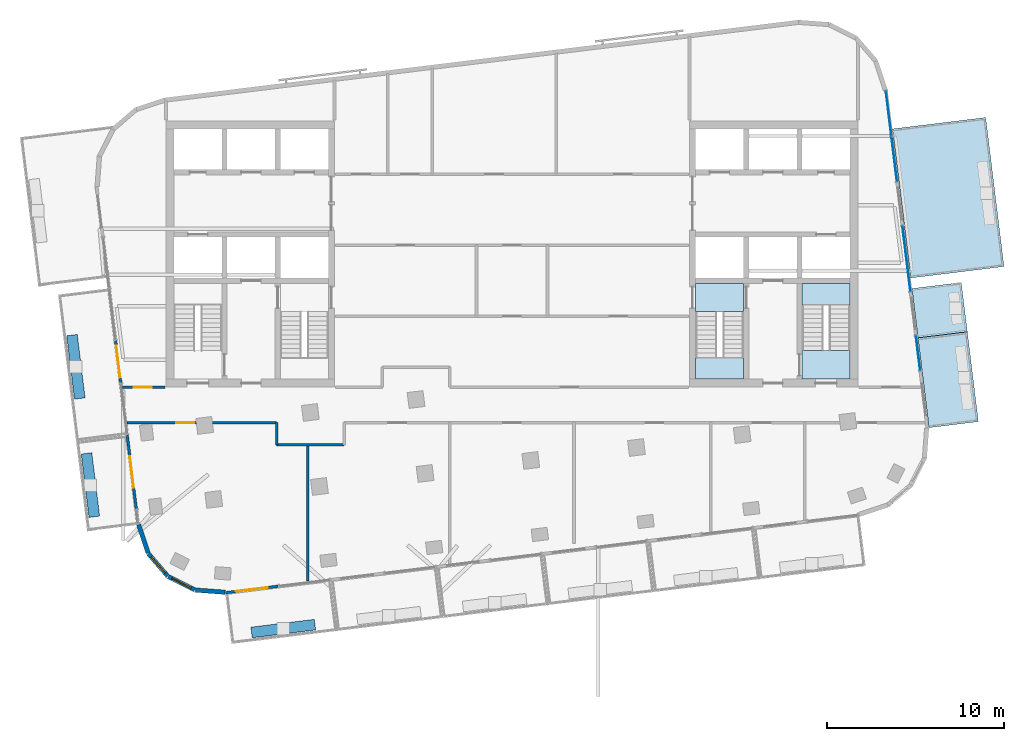
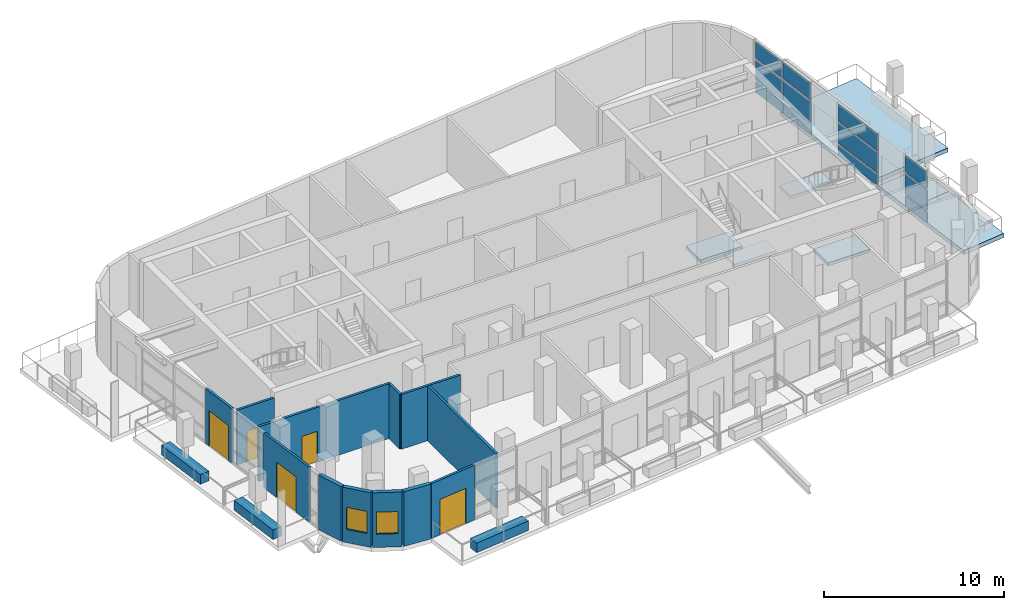
# One storey, part 5 of 13: 15 walls, 12 plates, 7 slabs, 5 doors, 2 windows, 7 openings, 5 elements without a shape of their own.
"""IFC4 building model written with IfcOpenShell, lengths in metres."""

from ifc_helpers import new_model, si_unit, direction, frame, frame_2d, origin, origin_2d, place, context, subcontext, project, spatial, polyline, rectangle, outline, extrude, material, layer, layer_set, type_object, element, fill, aggregate, save


model = new_model("IFC4")

# Units and contexts
model_context = context("Model", 3, precision=1e-05, world=origin(), true_north=direction((0.0, 1.0)))
body_context = subcontext(model_context, "Body", "Model", "MODEL_VIEW")
ifc_project = project(units=[si_unit("LENGTHUNIT", "METRE"), si_unit("AREAUNIT", "SQUARE_METRE"), si_unit("VOLUMEUNIT", "CUBIC_METRE"), si_unit("PLANEANGLEUNIT", "RADIAN"), si_unit("MASSUNIT", "GRAM", prefix="KILO")], contexts=[model_context])

# Site, building, storey
site_placement = place(None, origin())
site = spatial("IfcSite", under=ifc_project, at=site_placement, CompositionType="ELEMENT")
building_placement = place(site_placement, origin())
building = spatial("IfcBuilding", under=site, at=building_placement, Name="Torana Hotel and Residences", CompositionType="ELEMENT")
storey_placement = place(building_placement, frame((0.0, 0.0, 314.60009765625)))
storey = spatial("IfcBuildingStorey", under=building, at=storey_placement, Name="L83", CompositionType="ELEMENT", Elevation=314.60009765625)

# Slabs
ifc_material_1 = material(Name="Concrete C40/50", Category="concrete")
ifc_layer_1 = layer(ifc_material_1, 0.280029296875)
ifc_layer_set_1 = layer_set([ifc_layer_1], Name="BAL1 BALCONY SLAB 280")
slab_type_1 = type_object("IfcSlabType", Name="BAL1 BALCONY SLAB 280", PredefinedType="USERDEFINED", material=ifc_layer_set_1)
slab_1_placement = place(storey_placement, frame((0.0, 0.0, -0.280029296875)))
element("IfcSlab", 1, at=slab_1_placement, inside=storey, type_object=slab_type_1, Name="Balcony 10", ObjectType="BALCONY", PredefinedType="USERDEFINED", context=body_context, shape_type="SweptSolid", body=[
    extrude(outline(polyline([(23.502197265625, -17.286376953125), (26.281494140625, -16.945068359375), (25.659912109375, -11.88330078125), (22.880615234375, -12.224365234375), (23.502197265625, -17.286376953125)])), origin(), (0.0, 0.0, 1.0), 0.280029296875),
])
slab_2_placement = place(storey_placement, frame((0.0, 0.0, -0.280029296875)))
element("IfcSlab", 2, at=slab_2_placement, inside=storey, type_object=slab_type_1, Name="Balcony 11", ObjectType="BALCONY", PredefinedType="USERDEFINED", context=body_context, shape_type="SweptSolid", body=[
    extrude(outline(polyline([(22.880615234375, -12.224365234375), (25.659912109375, -11.88330078125), (25.318603515625, -9.104248046875), (22.53955078125, -9.445556640625), (22.880615234375, -12.224365234375)])), origin(), (0.0, 0.0, 1.0), 0.280029296875),
])
slab_3_placement = place(storey_placement, frame((0.0, 0.0, -0.280029296875)))
element("IfcSlab", 3, at=slab_3_placement, inside=storey, type_object=slab_type_1, Name="Balcony 12", ObjectType="BALCONY", PredefinedType="USERDEFINED", context=body_context, shape_type="SweptSolid", body=[
    extrude(outline(polyline([(22.46630859375, -8.85009765625), (27.726806640625, -8.2041015625), (26.695556640625, 0.19580078125), (21.43505859375, -0.449951171875), (22.46630859375, -8.85009765625)])), origin(), (0.0, 0.0, 1.0), 0.280029296875),
])

# Curtain wall, plates
ifc_material_2 = material(Name="Dark anodised aluminium", Category="aluminium")
ifc_layer_2 = layer(ifc_material_2, 0.199951171875)
ifc_layer_set_2 = layer_set([ifc_layer_2], Name="CW3 SKY CLUB UNITISED CURTAIN WALL")
curtain_wall_type = type_object("IfcCurtainWallType", Name="CW3 SKY CLUB UNITISED CURTAIN WALL", PredefinedType="NOTDEFINED", material=ifc_layer_set_2)
curtain_wall_1_placement = place(storey_placement, origin())
curtain_wall_1 = element("IfcCurtainWall", 4, at=curtain_wall_1_placement, inside=storey, type_object=curtain_wall_type, Name="Curtain wall CW3 L83 e0.19-2", PredefinedType="NOTDEFINED")
ifc_material_3 = material(Name="Glass dark tinted double glazed unit", Category="glass")
ifc_layer_3 = layer(ifc_material_3, 0.031982421875)
ifc_layer_set_3 = layer_set([ifc_layer_3], Name="CW3 DARK GLASS PANEL 32")
plate_type = type_object("IfcPlateType", Name="CW3 DARK GLASS PANEL 32", PredefinedType="CURTAIN_PANEL", material=ifc_layer_set_3)
plate_1_placement = place(storey_placement, frame((22.885009765625, -13.080322265625, 0.1201171875), z_axis=(0.0, 0.0, 1.0), x_axis=(-0.121912701141, 0.992540827019, 0.0)))
plate_1 = element("IfcPlate", 5, at=plate_1_placement, type_object=plate_type, Name="CW3 panel 1.1", PredefinedType="CURTAIN_PANEL", context=body_context, shape_type="SweptSolid", body=[
    extrude(rectangle(XDim=1.9599609375, YDim=0.031982421875, at=origin_2d()), origin(), (0.0, 0.0, 1.0), 0.719970703125),
])
plate_2_placement = place(storey_placement, frame((22.885009765625, -13.080322265625, 0.9599609375), z_axis=(0.0, 0.0, 1.0), x_axis=(-0.121912701141, 0.992540827019, 0.0)))
plate_2 = element("IfcPlate", 6, at=plate_2_placement, type_object=plate_type, Name="CW3 panel 1.2", PredefinedType="CURTAIN_PANEL", context=body_context, shape_type="SweptSolid", body=[
    extrude(rectangle(XDim=1.9599609375, YDim=0.031982421875, at=origin_2d()), origin(), (0.0, 0.0, 1.0), 1.3798828125),
])
plate_3_placement = place(storey_placement, frame((22.885009765625, -13.080322265625, 2.4599609375), z_axis=(0.0, 0.0, 1.0), x_axis=(-0.121912701141, 0.992540827019, 0.0)))
plate_3 = element("IfcPlate", 7, at=plate_3_placement, type_object=plate_type, Name="CW3 panel 1.3", PredefinedType="CURTAIN_PANEL", context=body_context, shape_type="SweptSolid", body=[
    extrude(rectangle(XDim=1.9599609375, YDim=0.031982421875, at=origin_2d()), origin(), (0.0, 0.0, 1.0), 1.139892578125),
])
aggregate(curtain_wall_1, [plate_1, plate_2, plate_3])

curtain_wall_2_placement = place(storey_placement, origin())
curtain_wall_2 = element("IfcCurtainWall", 8, at=curtain_wall_2_placement, inside=storey, type_object=curtain_wall_type, Name="Curtain wall CW3 L83 e0.19-4", PredefinedType="NOTDEFINED")
plate_4_placement = place(storey_placement, frame((22.231201171875, -7.754638671875, 0.1201171875), z_axis=(0.0, 0.0, 1.0), x_axis=(-0.121885437403, 0.992544175414, 0.0)))
plate_4 = element("IfcPlate", 9, at=plate_4_placement, type_object=plate_type, Name="CW3 panel 1.1", PredefinedType="CURTAIN_PANEL", context=body_context, shape_type="SweptSolid", body=[
    extrude(rectangle(XDim=3.69140625, YDim=0.031982421875, at=origin_2d()), origin(), (0.0, 0.0, 1.0), 0.719970703125),
])
plate_5_placement = place(storey_placement, frame((22.231201171875, -7.754638671875, 0.9599609375), z_axis=(0.0, 0.0, 1.0), x_axis=(-0.121885437403, 0.992544175414, 0.0)))
plate_5 = element("IfcPlate", 10, at=plate_5_placement, type_object=plate_type, Name="CW3 panel 1.2", PredefinedType="CURTAIN_PANEL", context=body_context, shape_type="SweptSolid", body=[
    extrude(rectangle(XDim=3.69140625, YDim=0.031982421875, at=origin_2d()), origin(), (0.0, 0.0, 1.0), 1.3798828125),
])
plate_6_placement = place(storey_placement, frame((22.231201171875, -7.754638671875, 2.4599609375), z_axis=(0.0, 0.0, 1.0), x_axis=(-0.121885437403, 0.992544175414, 0.0)))
plate_6 = element("IfcPlate", 11, at=plate_6_placement, type_object=plate_type, Name="CW3 panel 1.3", PredefinedType="CURTAIN_PANEL", context=body_context, shape_type="SweptSolid", body=[
    extrude(rectangle(XDim=3.69140625, YDim=0.031982421875, at=origin_2d()), origin(), (0.0, 0.0, 1.0), 1.139892578125),
])
aggregate(curtain_wall_2, [plate_4, plate_5, plate_6])

curtain_wall_3_placement = place(storey_placement, origin())
curtain_wall_3 = element("IfcCurtainWall", 12, at=curtain_wall_3_placement, inside=storey, type_object=curtain_wall_type, Name="Curtain wall CW3 L83 e0.19-6", PredefinedType="NOTDEFINED")
plate_7_placement = place(storey_placement, frame((21.543212890625, -2.152587890625, 0.1201171875), z_axis=(0.0, 0.0, 1.0), x_axis=(-0.121870538273, 0.992546004929, 0.0)))
plate_7 = element("IfcPlate", 13, at=plate_7_placement, type_object=plate_type, Name="CW3 panel 1.1", PredefinedType="CURTAIN_PANEL", context=body_context, shape_type="SweptSolid", body=[
    extrude(rectangle(XDim=2.51708984375, YDim=0.031982421875, at=origin_2d()), origin(), (0.0, 0.0, 1.0), 0.719970703125),
])
plate_8_placement = place(storey_placement, frame((21.543212890625, -2.152587890625, 0.9599609375), z_axis=(0.0, 0.0, 1.0), x_axis=(-0.121870538273, 0.992546004929, 0.0)))
plate_8 = element("IfcPlate", 14, at=plate_8_placement, type_object=plate_type, Name="CW3 panel 1.2", PredefinedType="CURTAIN_PANEL", context=body_context, shape_type="SweptSolid", body=[
    extrude(rectangle(XDim=2.51708984375, YDim=0.031982421875, at=origin_2d()), origin(), (0.0, 0.0, 1.0), 1.3798828125),
])
plate_9_placement = place(storey_placement, frame((21.543212890625, -2.152587890625, 2.4599609375), z_axis=(0.0, 0.0, 1.0), x_axis=(-0.121870538273, 0.992546004929, 0.0)))
plate_9 = element("IfcPlate", 15, at=plate_9_placement, type_object=plate_type, Name="CW3 panel 1.3", PredefinedType="CURTAIN_PANEL", context=body_context, shape_type="SweptSolid", body=[
    extrude(rectangle(XDim=2.51708984375, YDim=0.031982421875, at=origin_2d()), origin(), (0.0, 0.0, 1.0), 1.139892578125),
])
plate_10_placement = place(storey_placement, frame((21.22802734375, 0.415283203125, 0.1201171875), z_axis=(0.0, 0.0, 1.0), x_axis=(-0.121870538273, 0.992546004929, 0.0)))
plate_10 = element("IfcPlate", 16, at=plate_10_placement, type_object=plate_type, Name="CW3 panel 2.1", PredefinedType="CURTAIN_PANEL", context=body_context, shape_type="SweptSolid", body=[
    extrude(rectangle(XDim=2.51708984375, YDim=0.031982421875, at=origin_2d()), origin(), (0.0, 0.0, 1.0), 0.719970703125),
])
plate_11_placement = place(storey_placement, frame((21.22802734375, 0.415283203125, 0.9599609375), z_axis=(0.0, 0.0, 1.0), x_axis=(-0.121870538273, 0.992546004929, 0.0)))
plate_11 = element("IfcPlate", 17, at=plate_11_placement, type_object=plate_type, Name="CW3 panel 2.2", PredefinedType="CURTAIN_PANEL", context=body_context, shape_type="SweptSolid", body=[
    extrude(rectangle(XDim=2.51708984375, YDim=0.031982421875, at=origin_2d()), origin(), (0.0, 0.0, 1.0), 1.3798828125),
])
plate_12_placement = place(storey_placement, frame((21.22802734375, 0.415283203125, 2.4599609375), z_axis=(0.0, 0.0, 1.0), x_axis=(-0.121870538273, 0.992546004929, 0.0)))
plate_12 = element("IfcPlate", 18, at=plate_12_placement, type_object=plate_type, Name="CW3 panel 2.3", PredefinedType="CURTAIN_PANEL", context=body_context, shape_type="SweptSolid", body=[
    extrude(rectangle(XDim=2.51708984375, YDim=0.031982421875, at=origin_2d()), origin(), (0.0, 0.0, 1.0), 1.139892578125),
])
aggregate(curtain_wall_3, [plate_7, plate_8, plate_9, plate_10, plate_11, plate_12])

# Stair, slabs
ifc_material_4 = material(Name="Concrete C40/50 precast", Category="concrete")
stair_type_1 = type_object("IfcStairType", Name="STAIR ST3 HALF TURN 1200", PredefinedType="HALF_TURN_STAIR", material=ifc_material_4)
stair_1_placement = place(storey_placement, origin())
stair_1 = element("IfcStair", 19, at=stair_1_placement, inside=storey, type_object=stair_type_1, Name="Stair ST3 L83", PredefinedType="HALF_TURN_STAIR")
ifc_material_5 = material(Name="Concrete C40/50 precast", Category="concrete")
ifc_layer_4 = layer(ifc_material_5, 0.199951171875)
ifc_layer_set_4 = layer_set([ifc_layer_4], Name="STAIR LANDING 200")
slab_type_2 = type_object("IfcSlabType", Name="STAIR LANDING 200", PredefinedType="LANDING", material=ifc_layer_set_4)
slab_4_placement = place(storey_placement, frame((0.0, 0.0, 1.7998046875)))
slab_4 = element("IfcSlab", 20, at=slab_4_placement, type_object=slab_type_2, Name="ST3 landing 1", PredefinedType="LANDING", context=body_context, shape_type="SweptSolid", body=[
    extrude(outline(polyline([(10.35009765625, -14.550048828125), (13.050048828125, -14.550048828125), (13.050048828125, -13.35009765625), (10.35009765625, -13.35009765625), (10.35009765625, -14.550048828125)])), origin(), (0.0, 0.0, 1.0), 0.2001953125),
])
slab_5_placement = place(storey_placement, frame((0.0, 0.0, -0.2001953125)))
slab_5 = element("IfcSlab", 21, at=slab_5_placement, type_object=slab_type_2, Name="ST3 landing 2", PredefinedType="LANDING", context=body_context, shape_type="SweptSolid", body=[
    extrude(outline(polyline([(10.35009765625, -10.75), (13.050048828125, -10.75), (13.050048828125, -9.14990234375), (10.35009765625, -9.14990234375), (10.35009765625, -10.75)])), origin(), (0.0, 0.0, 1.0), 0.2001953125),
])
aggregate(stair_1, [slab_4, slab_5])

ifc_material_6 = material(Name="Concrete C40/50 precast", Category="concrete")
stair_type_2 = type_object("IfcStairType", Name="STAIR ST4 HALF TURN 1200", PredefinedType="HALF_TURN_STAIR", material=ifc_material_6)
stair_2_placement = place(storey_placement, origin())
stair_2 = element("IfcStair", 22, at=stair_2_placement, inside=storey, type_object=stair_type_2, Name="Stair ST4 L83", PredefinedType="HALF_TURN_STAIR")
slab_6_placement = place(storey_placement, frame((0.0, 0.0, 1.7998046875)))
slab_6 = element("IfcSlab", 23, at=slab_6_placement, type_object=slab_type_2, Name="ST4 landing 1", PredefinedType="LANDING", context=body_context, shape_type="SweptSolid", body=[
    extrude(outline(polyline([(16.35009765625, -10.35009765625), (19.050048828125, -10.35009765625), (19.050048828125, -9.14990234375), (16.35009765625, -9.14990234375), (16.35009765625, -10.35009765625)])), origin(), (0.0, 0.0, 1.0), 0.2001953125),
])
slab_7_placement = place(storey_placement, frame((0.0, 0.0, -0.2001953125)))
slab_7 = element("IfcSlab", 24, at=slab_7_placement, type_object=slab_type_2, Name="ST4 landing 2", PredefinedType="LANDING", context=body_context, shape_type="SweptSolid", body=[
    extrude(outline(polyline([(16.35009765625, -14.550048828125), (19.050048828125, -14.550048828125), (19.050048828125, -12.949951171875), (16.35009765625, -12.949951171875), (16.35009765625, -14.550048828125)])), origin(), (0.0, 0.0, 1.0), 0.2001953125),
])
aggregate(stair_2, [slab_6, slab_7])

# Wall
ifc_material_7 = material(Name="Black aluminium composite panel", Category="aluminium")
ifc_layer_5 = layer(ifc_material_7, 0.00390625, Name="Cladding", Category="cladding")
ifc_material_8 = material(Name="Ventilated air cavity")
ifc_layer_6 = layer(ifc_material_8, 0.0400390625, Name="Ventilated cavity", Category="cavity")
ifc_material_9 = material(Name="Mineral wool insulation")
ifc_layer_7 = layer(ifc_material_9, 0.090087890625, Name="Insulation", Category="insulation")
ifc_material_10 = material(Name="Steel S280GD", Category="steel")
ifc_layer_8 = layer(ifc_material_10, 0.092041015625, Name="Steel stud frame", Category="structure")
ifc_material_11 = material(Name="Fire rated plasterboard")
ifc_layer_9 = layer(ifc_material_11, 0.011962890625, Name="Inner board", Category="finish")
ifc_layer_10 = layer(ifc_material_11, 0.011962890625, Name="Second board", Category="finish")
ifc_layer_set_5 = layer_set([ifc_layer_5, ifc_layer_6, ifc_layer_7, ifc_layer_8, ifc_layer_9, ifc_layer_10], Name="EW1 EXTERNAL WALL BLACK METAL CLAD 250")
wall_type_1 = type_object("IfcWallType", Name="EW1 EXTERNAL WALL BLACK METAL CLAD 250", PredefinedType="SOLIDWALL", material=ifc_layer_set_5)
wall_1_placement = place(storey_placement, frame((-21.035888671875, -22.754638671875, 0.0), z_axis=(0.0, 0.0, 1.0), x_axis=(0.313046160822, -0.949737911844, 0.0)))
element("IfcWall", 25, at=wall_1_placement, inside=storey, type_object=wall_type_1, Name="External wall L83 e0.10", PredefinedType="SOLIDWALL", context=body_context, shape_type="SweptSolid", body=[
    extrude(rectangle(XDim=1.681396484375, YDim=0.25, at=frame_2d((0.8408203125, 0.0))), origin(), (0.0, 0.0, 1.0), 3.719970703125),
])

# Wall, opening, window
wall_2_placement = place(storey_placement, frame((-20.4853515625, -24.39404296875, 0.0), z_axis=(0.0, 0.0, 1.0), x_axis=(0.652755886531, -0.757568315466, 0.0)))
wall_2 = element("IfcWall", 26, at=wall_2_placement, inside=storey, type_object=wall_type_1, Name="External wall L83 e0.11", PredefinedType="SOLIDWALL", context=body_context, shape_type="SweptSolid", body=[
    extrude(rectangle(XDim=1.65625, YDim=0.25, at=frame_2d((0.828125, 0.0))), origin(), (0.0, 0.0, 1.0), 3.719970703125),
])
opening_1_placement = place(wall_2_placement, frame((0.228271484375, 0.0, 0.89990234375)))
opening_1 = element("IfcOpeningElement", 27, at=opening_1_placement, cuts=wall_2, Name="Opening W5", PredefinedType="OPENING", context=body_context, shape_type="SweptSolid", body=[
    extrude(rectangle(XDim=1.199951171875, YDim=1.5, at=frame_2d((0.60009765625, 0.75))), frame((0.0, 0.135009765625, 0.0), z_axis=(0.0, -1.0, 0.0), x_axis=(1.0, 0.0, 0.0)), (0.0, 0.0, 1.0), 0.27001953125),
])
ifc_material_12 = material(Name="Dark glass in black aluminium frame", Category="aluminium")
window_type = type_object("IfcWindowType", Name="W5 CORNER FACET WINDOW 1200x1500", PartitioningType="SINGLE_PANEL", PredefinedType="WINDOW", material=ifc_material_12)
window_1_placement = place(opening_1_placement, origin())
window_1 = element("IfcWindow", 28, at=window_1_placement, inside=storey, type_object=window_type, Name="Window L83 e0.11", OverallHeight=1.5, OverallWidth=1.199951171875, PartitioningType="SINGLE_PANEL", PredefinedType="WINDOW", context=body_context, shape_type="SweptSolid", body=[
    extrude(rectangle(XDim=1.199951171875, YDim=1.5, at=frame_2d((0.60009765625, 0.75))), frame((0.0, 0.030029296875, 0.0), z_axis=(0.0, -1.0, 0.0), x_axis=(1.0, 0.0, 0.0)), (0.0, 0.0, 1.0), 0.06005859375),
])
fill(opening_1, window_1)

wall_3_placement = place(storey_placement, frame((-19.36572265625, -25.678955078125, 0.0), z_axis=(0.0, 0.0, 1.0), x_axis=(0.893007580524, -0.450041621549, 0.0)))
wall_3 = element("IfcWall", 29, at=wall_3_placement, inside=storey, type_object=wall_type_1, Name="External wall L83 e0.12", PredefinedType="SOLIDWALL", context=body_context, shape_type="SweptSolid", body=[
    extrude(rectangle(XDim=1.65625, YDim=0.25, at=frame_2d((0.828125, 0.0))), origin(), (0.0, 0.0, 1.0), 3.719970703125),
])
opening_2_placement = place(wall_3_placement, frame((0.228271484375, 0.0, 0.89990234375)))
opening_2 = element("IfcOpeningElement", 30, at=opening_2_placement, cuts=wall_3, Name="Opening W5", PredefinedType="OPENING", context=body_context, shape_type="SweptSolid", body=[
    extrude(rectangle(XDim=1.199951171875, YDim=1.5, at=frame_2d((0.60009765625, 0.75))), frame((0.0, 0.135009765625, 0.0), z_axis=(0.0, -1.0, 0.0), x_axis=(1.0, 0.0, 0.0)), (0.0, 0.0, 1.0), 0.27001953125),
])
window_2_placement = place(opening_2_placement, origin())
window_2 = element("IfcWindow", 31, at=window_2_placement, inside=storey, type_object=window_type, Name="Window L83 e0.12", OverallHeight=1.5, OverallWidth=1.199951171875, PartitioningType="SINGLE_PANEL", PredefinedType="WINDOW", context=body_context, shape_type="SweptSolid", body=[
    extrude(rectangle(XDim=1.199951171875, YDim=1.5, at=frame_2d((0.60009765625, 0.75))), frame((0.0, 0.030029296875, 0.0), z_axis=(0.0, -1.0, 0.0), x_axis=(1.0, 0.0, 0.0)), (0.0, 0.0, 1.0), 0.06005859375),
])
fill(opening_2, window_2)

# Walls
wall_4_placement = place(storey_placement, frame((-17.839599609375, -26.4375, 0.0), z_axis=(0.0, 0.0, 1.0), x_axis=(0.997254267475, -0.074053534713, 0.0)))
element("IfcWall", 32, at=wall_4_placement, inside=storey, type_object=wall_type_1, Name="External wall L83 e0.13", PredefinedType="SOLIDWALL", context=body_context, shape_type="SweptSolid", body=[
    extrude(rectangle(XDim=1.681396484375, YDim=0.25, at=frame_2d((0.8408203125, 0.0))), origin(), (0.0, 0.0, 1.0), 3.719970703125),
])
ifc_material_13 = material(Name="Gypsum plaster")
ifc_layer_11 = layer(ifc_material_13, 0.014892578125, Name="Plaster", Category="finish")
ifc_material_14 = material(Name="Concrete blockwork", Category="masonry")
ifc_layer_12 = layer(ifc_material_14, 0.1201171875, Name="Blockwork", Category="structure")
ifc_layer_13 = layer(ifc_material_13, 0.014892578125, Name="Plaster", Category="finish")
ifc_layer_set_6 = layer_set([ifc_layer_11, ifc_layer_12, ifc_layer_13], Name="FIRE PARTITION 150 BLOCKWORK")
wall_type_2 = type_object("IfcWallType", Name="FIRE PARTITION 150 BLOCKWORK", PredefinedType="PARTITIONING", material=ifc_layer_set_6)
wall_5_placement = place(storey_placement, frame((-13.262939453125, -18.2548828125, 0.0), z_axis=(0.0, 0.0, 1.0), x_axis=(0.0, 1.0, 0.0)))
element("IfcWall", 33, at=wall_5_placement, inside=storey, type_object=wall_type_2, Name="Partition L83", PredefinedType="PARTITIONING", context=body_context, shape_type="SweptSolid", body=[
    extrude(rectangle(XDim=1.2548828125, YDim=0.14990234375, at=frame_2d((0.62744140625, 0.0))), origin(), (0.0, 0.0, 1.0), 3.719970703125),
])
wall_6_placement = place(storey_placement, frame((-13.262939453125, -18.2548828125, 0.0), z_axis=(0.0, 0.0, 1.0), x_axis=(1.0, 0.0, 0.0)))
element("IfcWall", 34, at=wall_6_placement, inside=storey, type_object=wall_type_2, Name="Partition L83", PredefinedType="PARTITIONING", context=body_context, shape_type="SweptSolid", body=[
    extrude(rectangle(XDim=3.802001953125, YDim=0.14990234375, at=frame_2d((1.90087890625, 0.0))), origin(), (0.0, 0.0, 1.0), 3.719970703125),
])

# Wall, opening, door
wall_7_placement = place(storey_placement, frame((-21.689453125, -17.0, 0.0), z_axis=(0.0, 0.0, 1.0), x_axis=(1.0, 0.0, 0.0)))
wall_7 = element("IfcWall", 35, at=wall_7_placement, inside=storey, type_object=wall_type_2, Name="Partition L83", PredefinedType="PARTITIONING", context=body_context, shape_type="SweptSolid", body=[
    extrude(rectangle(XDim=8.426513671875, YDim=0.14990234375, at=frame_2d((4.21337890625, 0.0))), origin(), (0.0, 0.0, 1.0), 3.719970703125),
])
opening_3_placement = place(wall_7_placement, frame((2.77099609375, 0.0, 0.0)))
opening_3 = element("IfcOpeningElement", 36, at=opening_3_placement, cuts=wall_7, Name="Opening L83-18", PredefinedType="OPENING", context=body_context, shape_type="SweptSolid", body=[
    extrude(rectangle(XDim=1.0, YDim=2.10009765625, at=frame_2d((0.5, 1.050048828125))), frame((0.0, 0.0849609375, 0.0), z_axis=(0.0, -1.0, 0.0), x_axis=(1.0, 0.0, 0.0)), (0.0, 0.0, 1.0), 0.169921875),
])
ifc_material_15 = material(Name="Steel S235", Category="steel")
door_type_1 = type_object("IfcDoorType", Name="ENTRY FIRE DOOR D6 1000x2100", OperationType="SINGLE_SWING_LEFT", PredefinedType="DOOR", material=ifc_material_15)
door_1_placement = place(opening_3_placement, frame((0.5, 0.0, 0.0), z_axis=(0.0, 0.0, 1.0), x_axis=(-1.0, 0.0, 0.0)))
door_1 = element("IfcDoor", 37, at=door_1_placement, inside=storey, type_object=door_type_1, Name="Door L83", OperationType="SINGLE_SWING_RIGHT", OverallHeight=2.10009765625, OverallWidth=1.0, PredefinedType="DOOR", context=body_context, shape_type="SweptSolid", body=[
    extrude(rectangle(XDim=1.0, YDim=2.10009765625, at=frame_2d((0.0, 1.050048828125))), frame((0.0, -0.02490234375, 0.0), z_axis=(0.0, 1.0, 0.0), x_axis=(-1.0, 0.0, 0.0)), (0.0, 0.0, 1.0), 0.050048828125),
])
fill(opening_3, door_1)

wall_8_placement = place(storey_placement, frame((-21.93505859375, -15.0, 0.0), z_axis=(0.0, 0.0, 1.0), x_axis=(1.0, 0.0, 0.0)))
wall_8 = element("IfcWall", 38, at=wall_8_placement, inside=storey, type_object=wall_type_2, Name="Partition L83", PredefinedType="PARTITIONING", context=body_context, shape_type="SweptSolid", body=[
    extrude(rectangle(XDim=2.385009765625, YDim=0.14990234375, at=frame_2d((1.1923828125, 0.0))), origin(), (0.0, 0.0, 1.0), 3.719970703125),
])
opening_4_placement = place(wall_8_placement, frame((0.626953125, 0.0, 0.0)))
opening_4 = element("IfcOpeningElement", 39, at=opening_4_placement, cuts=wall_8, Name="Opening L83-24", PredefinedType="OPENING", context=body_context, shape_type="SweptSolid", body=[
    extrude(rectangle(XDim=1.0, YDim=2.10009765625, at=frame_2d((0.5, 1.050048828125))), frame((0.0, 0.0849609375, 0.0), z_axis=(0.0, -1.0, 0.0), x_axis=(1.0, 0.0, 0.0)), (0.0, 0.0, 1.0), 0.169921875),
])
ifc_material_16 = material(Name="Steel S235", Category="steel")
door_type_2 = type_object("IfcDoorType", Name="CORE ROOM FIRE DOOR D14 1000x2100", OperationType="SINGLE_SWING_LEFT", PredefinedType="DOOR", material=ifc_material_16)
door_2_placement = place(opening_4_placement, origin())
door_2 = element("IfcDoor", 40, at=door_2_placement, inside=storey, type_object=door_type_2, Name="Door L83", OperationType="SINGLE_SWING_RIGHT", OverallHeight=2.10009765625, OverallWidth=1.0, PredefinedType="DOOR", context=body_context, shape_type="SweptSolid", body=[
    extrude(rectangle(XDim=1.0, YDim=2.10009765625, at=frame_2d((0.5, 1.050048828125))), frame((0.0, 0.02490234375, 0.0), z_axis=(0.0, -1.0, 0.0), x_axis=(1.0, 0.0, 0.0)), (0.0, 0.0, 1.0), 0.050048828125),
])
fill(opening_4, door_2)

ifc_material_17 = material(Name="Dark glass screen in aluminium frame", Category="aluminium")
ifc_layer_14 = layer(ifc_material_17, 0.14990234375)
ifc_layer_set_7 = layer_set([ifc_layer_14], Name="GS1 GLAZED DOOR SCREEN 150")
wall_type_3 = type_object("IfcWallType", Name="GS1 GLAZED DOOR SCREEN 150", PredefinedType="USERDEFINED", material=ifc_layer_set_7)
wall_9_placement = place(storey_placement, frame((-22.338134765625, -12.373779296875, 0.0), z_axis=(0.0, 0.0, 1.0), x_axis=(0.121868445399, -0.992546261902, 0.0)))
wall_9 = element("IfcWall", 41, at=wall_9_placement, inside=storey, type_object=wall_type_3, Name="Glazed door screen L83", ObjectType="GLAZED SCREEN", PredefinedType="USERDEFINED", context=body_context, shape_type="SweptSolid", body=[
    extrude(rectangle(XDim=2.39990234375, YDim=0.14990234375, at=frame_2d((1.199951171875, 0.0))), origin(), (0.0, 0.0, 1.0), 3.719970703125),
])
opening_5_placement = place(wall_9_placement, frame((0.300048828125, 0.0, 0.0)))
opening_5 = element("IfcOpeningElement", 42, at=opening_5_placement, cuts=wall_9, Name="Opening L83-E02", PredefinedType="OPENING", context=body_context, shape_type="SweptSolid", body=[
    extrude(rectangle(XDim=1.800048828125, YDim=2.39990234375, at=frame_2d((0.89990234375, 1.199951171875))), frame((0.0, 0.0849609375, 0.0), z_axis=(0.0, -1.0, 0.0), x_axis=(1.0, 0.0, 0.0)), (0.0, 0.0, 1.0), 0.169921875),
])
ifc_material_18 = material(Name="Dark glass in black aluminium frame", Category="aluminium")
door_type_3 = type_object("IfcDoorType", Name="DB1 BALCONY DOOR 1800x2400", OperationType="DOUBLE_DOOR_SINGLE_SWING", PredefinedType="DOOR", material=ifc_material_18)
door_3_placement = place(opening_5_placement, origin())
door_3 = element("IfcDoor", 43, at=door_3_placement, inside=storey, type_object=door_type_3, Name="Balcony door L83", OperationType="DOUBLE_DOOR_SINGLE_SWING", OverallHeight=2.39990234375, OverallWidth=1.800048828125, PredefinedType="DOOR", context=body_context, shape_type="SweptSolid", body=[
    extrude(rectangle(XDim=1.800048828125, YDim=2.39990234375, at=frame_2d((0.89990234375, 1.199951171875))), frame((0.0, 0.02490234375, 0.0), z_axis=(0.0, -1.0, 0.0), x_axis=(1.0, 0.0, 0.0)), (0.0, 0.0, 1.0), 0.050048828125),
])
fill(opening_5, door_3)

wall_10_placement = place(storey_placement, frame((-21.6845703125, -17.6962890625, 0.0), z_axis=(0.0, 0.0, 1.0), x_axis=(0.121895320106, -0.992542961758, 0.0)))
wall_10 = element("IfcWall", 44, at=wall_10_placement, inside=storey, type_object=wall_type_3, Name="Glazed door screen L83", ObjectType="GLAZED SCREEN", PredefinedType="USERDEFINED", context=body_context, shape_type="SweptSolid", body=[
    extrude(rectangle(XDim=4.199951171875, YDim=0.14990234375, at=frame_2d((2.10009765625, 0.0))), origin(), (0.0, 0.0, 1.0), 3.719970703125),
])
opening_6_placement = place(wall_10_placement, frame((1.199951171875, 0.0, 0.0)))
opening_6 = element("IfcOpeningElement", 45, at=opening_6_placement, cuts=wall_10, Name="Opening L83-E03", PredefinedType="OPENING", context=body_context, shape_type="SweptSolid", body=[
    extrude(rectangle(XDim=1.800048828125, YDim=2.39990234375, at=frame_2d((0.89990234375, 1.199951171875))), frame((0.0, 0.0849609375, 0.0), z_axis=(0.0, -1.0, 0.0), x_axis=(1.0, 0.0, 0.0)), (0.0, 0.0, 1.0), 0.169921875),
])
door_4_placement = place(opening_6_placement, origin())
door_4 = element("IfcDoor", 46, at=door_4_placement, inside=storey, type_object=door_type_3, Name="Balcony door L83", OperationType="DOUBLE_DOOR_SINGLE_SWING", OverallHeight=2.39990234375, OverallWidth=1.800048828125, PredefinedType="DOOR", context=body_context, shape_type="SweptSolid", body=[
    extrude(rectangle(XDim=1.800048828125, YDim=2.39990234375, at=frame_2d((0.89990234375, 1.199951171875))), frame((0.0, 0.02490234375, 0.0), z_axis=(0.0, -1.0, 0.0), x_axis=(1.0, 0.0, 0.0)), (0.0, 0.0, 1.0), 0.050048828125),
])
fill(opening_6, door_4)

wall_11_placement = place(storey_placement, frame((-16.13525390625, -26.586181640625, 0.0), z_axis=(0.0, 0.0, 1.0), x_axis=(0.992549375183, 0.121843086893, 0.0)))
wall_11 = element("IfcWall", 47, at=wall_11_placement, inside=storey, type_object=wall_type_3, Name="Glazed door screen L83", ObjectType="GLAZED SCREEN", PredefinedType="USERDEFINED", context=body_context, shape_type="SweptSolid", body=[
    extrude(rectangle(XDim=2.9755859375, YDim=0.14990234375, at=frame_2d((1.48779296875, 0.0))), origin(), (0.0, 0.0, 1.0), 3.719970703125),
])
opening_7_placement = place(wall_11_placement, frame((0.587646484375, 0.0, 0.0)))
opening_7 = element("IfcOpeningElement", 48, at=opening_7_placement, cuts=wall_11, Name="Opening L83-E04", PredefinedType="OPENING", context=body_context, shape_type="SweptSolid", body=[
    extrude(rectangle(XDim=1.800048828125, YDim=2.39990234375, at=frame_2d((0.89990234375, 1.199951171875))), frame((0.0, 0.0849609375, 0.0), z_axis=(0.0, -1.0, 0.0), x_axis=(1.0, 0.0, 0.0)), (0.0, 0.0, 1.0), 0.169921875),
])
door_5_placement = place(opening_7_placement, origin())
door_5 = element("IfcDoor", 49, at=door_5_placement, inside=storey, type_object=door_type_3, Name="Balcony door L83", OperationType="DOUBLE_DOOR_SINGLE_SWING", OverallHeight=2.39990234375, OverallWidth=1.800048828125, PredefinedType="DOOR", context=body_context, shape_type="SweptSolid", body=[
    extrude(rectangle(XDim=1.800048828125, YDim=2.39990234375, at=frame_2d((0.89990234375, 1.199951171875))), frame((0.0, 0.02490234375, 0.0), z_axis=(0.0, -1.0, 0.0), x_axis=(1.0, 0.0, 0.0)), (0.0, 0.0, 1.0), 0.050048828125),
])
fill(opening_7, door_5)

# Walls
ifc_material_19 = material(Name="Gypsum plasterboard")
ifc_layer_15 = layer(ifc_material_19, 0.012451171875, Name="Plasterboard", Category="finish")
ifc_layer_16 = layer(ifc_material_19, 0.012451171875, Name="Plasterboard", Category="finish")
ifc_layer_17 = layer(ifc_material_10, 0.10009765625, Name="Steel studs with mineral wool", Category="insulation")
ifc_layer_18 = layer(ifc_material_19, 0.012451171875, Name="Plasterboard", Category="finish")
ifc_layer_19 = layer(ifc_material_19, 0.012451171875, Name="Plasterboard", Category="finish")
ifc_layer_set_8 = layer_set([ifc_layer_15, ifc_layer_16, ifc_layer_17, ifc_layer_18, ifc_layer_19], Name="PARTITION 150 PLASTERBOARD")
wall_type_4 = type_object("IfcWallType", Name="PARTITION 150 PLASTERBOARD", PredefinedType="PARTITIONING", material=ifc_layer_set_8)
wall_12_placement = place(storey_placement, frame((-11.501953125, -25.936767578125, 0.0), z_axis=(0.0, 0.0, 1.0), x_axis=(0.0, 1.0, 0.0)))
element("IfcWall", 50, at=wall_12_placement, inside=storey, type_object=wall_type_4, Name="Partition L83", PredefinedType="PARTITIONING", context=body_context, shape_type="SweptSolid", body=[
    extrude(rectangle(XDim=7.681884765625, YDim=0.14990234375, at=frame_2d((3.8408203125, 0.0))), origin(), (0.0, 0.0, 1.0), 3.719970703125),
])
ifc_material_20 = material(Name="Concrete C40/50 precast", Category="concrete")
ifc_layer_20 = layer(ifc_material_20, 0.10009765625, Name="Planter shell", Category="structure")
ifc_material_21 = material(Name="Root resistant membrane")
ifc_layer_21 = layer(ifc_material_21, 0.00390625, Name="Waterproofing membrane", Category="membrane")
ifc_material_22 = material(Name="Drainage board with filter fleece")
ifc_layer_22 = layer(ifc_material_22, 0.02001953125, Name="Drainage board", Category="drainage")
ifc_material_23 = material(Name="Growing medium")
ifc_layer_23 = layer(ifc_material_23, 0.47607421875, Name="Planting substrate", Category="soil")
ifc_layer_set_9 = layer_set([ifc_layer_20, ifc_layer_21, ifc_layer_22, ifc_layer_23], Name="PL1 BALCONY PLANTER 600")
wall_type_5 = type_object("IfcWallType", Name="PL1 BALCONY PLANTER 600", PredefinedType="USERDEFINED", material=ifc_layer_set_9)
wall_13_placement = place(storey_placement, frame((-11.10302734375, -28.386474609375, 0.0), z_axis=(0.0, 0.0, 1.0), x_axis=(-0.992545758265, -0.121872547154, 0.0)))
element("IfcWall", 51, at=wall_13_placement, inside=storey, type_object=wall_type_5, Name="Planter 01", ObjectType="PLANTER", PredefinedType="USERDEFINED", context=body_context, shape_type="SweptSolid", body=[
    extrude(rectangle(XDim=3.599853515625, YDim=0.60009765625, at=frame_2d((1.7998046875, 0.0))), origin(), (0.0, 0.0, 1.0), 0.64990234375),
])
wall_14_placement = place(storey_placement, frame((-23.53662109375, -22.306396484375, 0.0), z_axis=(0.0, 0.0, 1.0), x_axis=(-0.121864343918, 0.992546765488, 0.0)))
element("IfcWall", 52, at=wall_14_placement, inside=storey, type_object=wall_type_5, Name="Planter 07", ObjectType="PLANTER", PredefinedType="USERDEFINED", context=body_context, shape_type="SweptSolid", body=[
    extrude(rectangle(XDim=3.60009765625, YDim=0.60009765625, at=frame_2d((1.800048828125, 0.0))), origin(), (0.0, 0.0, 1.0), 0.64990234375),
])
wall_15_placement = place(storey_placement, frame((-24.354736328125, -15.643798828125, 0.0), z_axis=(0.0, 0.0, 1.0), x_axis=(-0.121872547154, 0.992545758265, 0.0)))
element("IfcWall", 53, at=wall_15_placement, inside=storey, type_object=wall_type_5, Name="Planter 08", ObjectType="PLANTER", PredefinedType="USERDEFINED", context=body_context, shape_type="SweptSolid", body=[
    extrude(rectangle(XDim=3.599853515625, YDim=0.60009765625, at=frame_2d((1.7998046875, 0.0))), origin(), (0.0, 0.0, 1.0), 0.64990234375),
])

save(model, "model.ifc")
